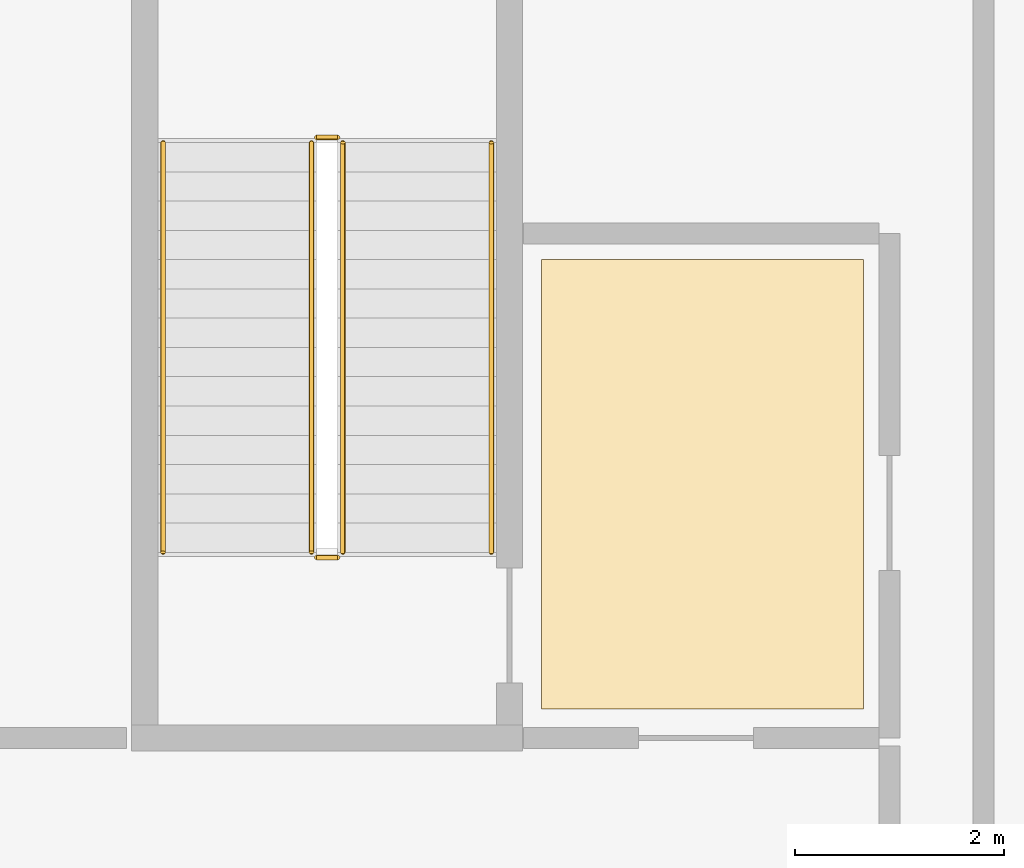
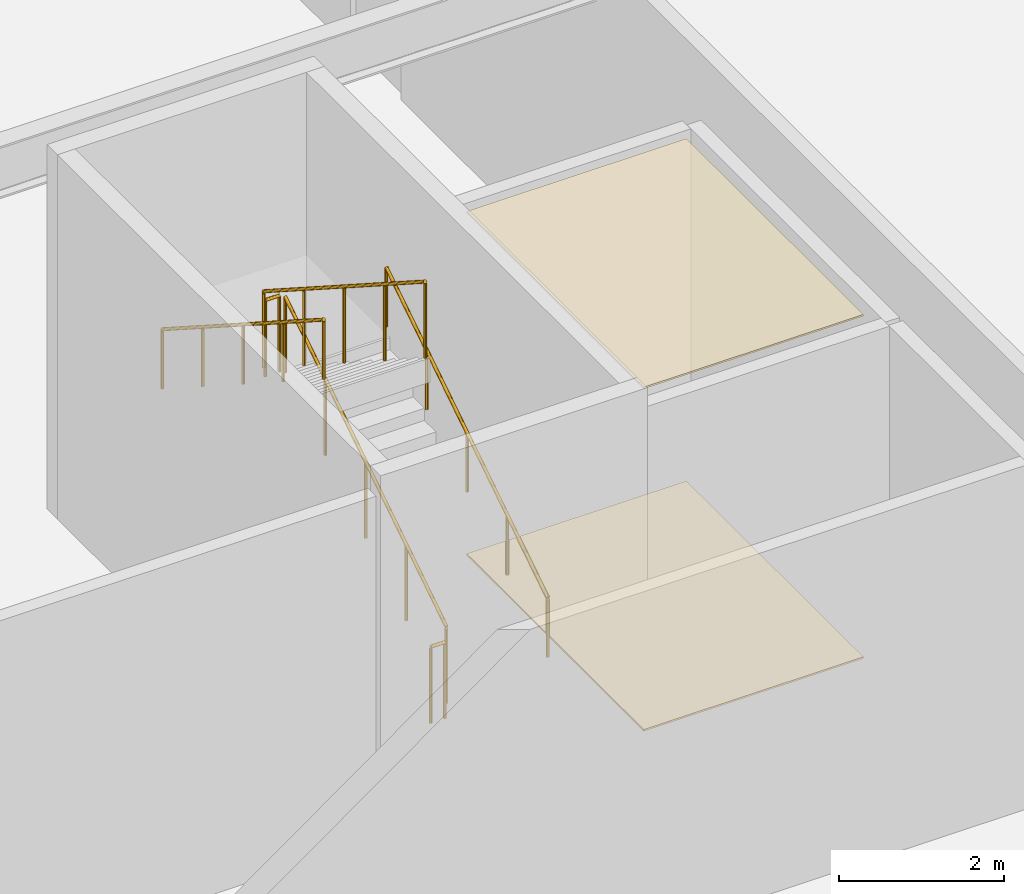
# One storey, part 33 of 46: 6 railings, 2 coverings.
"""IFC4 building model written with IfcOpenShell, lengths in metres."""

from ifc_helpers import new_model, si_unit, direction, frame, origin, origin_2d, place, context, subcontext, project, spatial, polyline, circle, outline, extrude, material, layer, layer_set, type_object, element, save


model = new_model("IFC4")

# Units and contexts
model_context = context("Model", 3, precision=1e-05, world=origin(), true_north=direction((0.0, 1.0)))
body_context = subcontext(model_context, "Body", "Model", "MODEL_VIEW")
ifc_project = project(units=[si_unit("LENGTHUNIT", "METRE"), si_unit("AREAUNIT", "SQUARE_METRE"), si_unit("VOLUMEUNIT", "CUBIC_METRE"), si_unit("PLANEANGLEUNIT", "RADIAN"), si_unit("MASSUNIT", "GRAM", prefix="KILO")], contexts=[model_context])

# Site, building, storey
site_placement = place(None, origin())
site = spatial("IfcSite", under=ifc_project, at=site_placement, CompositionType="ELEMENT")
building_placement = place(site_placement, origin())
building = spatial("IfcBuilding", under=site, at=building_placement, Name="Korimba Cascade Residences", CompositionType="ELEMENT")
storey_placement = place(building_placement, origin())
storey = spatial("IfcBuildingStorey", under=building, at=storey_placement, Name="L00", CompositionType="ELEMENT", Elevation=0.0)

# Coverings
ifc_material_1 = material(Name="Perforated Acoustic Gypsum Ceiling", Category="gypsum")
ifc_layer_1 = layer(ifc_material_1, 0.02490234375)
ifc_layer_set_1 = layer_set([ifc_layer_1], Name="Perforated Acoustic Gypsum Ceiling")
covering_type_1 = type_object("IfcCoveringType", Name="COV-CLG-AC", PredefinedType="CEILING", material=ifc_layer_set_1)
covering_1_placement = place(storey_placement, frame((0.0, 0.0, 5.074951171875)))
element("IfcCovering", 1, at=covering_1_placement, inside=storey, type_object=covering_type_1, Name="L00 Suspended Acoustic Ceiling L00-PL3", PredefinedType="CEILING", context=body_context, shape_type="SweptSolid", body=[
    extrude(outline(polyline([(61.669921875, -12.64990234375), (64.75, -12.64990234375), (64.75, -8.35009765625), (61.669921875, -8.35009765625), (61.669921875, -12.64990234375)])), origin(), (0.0, 0.0, 1.0), 0.025146484375),
])
ifc_material_2 = material(Name="Honed Travertine Stone Flooring", Category="masonry")
ifc_layer_2 = layer(ifc_material_2, 0.02490234375)
ifc_layer_set_2 = layer_set([ifc_layer_2], Name="Honed Travertine Stone Flooring")
covering_type_2 = type_object("IfcCoveringType", Name="COV-FLR-STN", PredefinedType="FLOORING", material=ifc_layer_set_2)
covering_2_placement = place(storey_placement, origin())
element("IfcCovering", 2, at=covering_2_placement, inside=storey, type_object=covering_type_2, Name="L00 Honed Travertine Stone Flooring L00-PL3", PredefinedType="FLOORING", context=body_context, shape_type="SweptSolid", body=[
    extrude(outline(polyline([(61.669921875, -12.64990234375), (64.75, -12.64990234375), (64.75, -8.35009765625), (61.669921875, -8.35009765625), (61.669921875, -12.64990234375)])), origin(), (0.0, 0.0, 1.0), 0.02490234375),
])

# Railings
ifc_material_3 = material(Name="Painted Steel Stairwell Guardrail", Category="steel")
railing_type_1 = type_object("IfcRailingType", Name="RLG-ST-GD1150", PredefinedType="GUARDRAIL", material=ifc_material_3)
railing_1_placement = place(storey_placement, frame((59.77001953125, -11.14990234375, 0.179931640625)))
element("IfcRailing", 3, at=railing_1_placement, inside=storey, type_object=railing_type_1, Name="L00 ST-P3 stair guard 1", PredefinedType="GUARDRAIL", context=body_context, shape_type="SweptSolid", body=[
    extrude(circle(Radius=0.02392578125, at=origin_2d()), frame((0.0, 0.0, 1.1259765625), z_axis=(0.0, 0.841171666519, 0.540768182723), x_axis=(-1.0, 0.0, 0.0)), (0.0, 0.0, 1.0), 4.66015625),
    extrude(circle(Radius=0.02099609375, at=origin_2d()), origin(), (0.0, 0.0, 1.0), 1.101806640625),
    extrude(circle(Radius=0.02099609375, at=origin_2d()), frame((0.0, 0.97998046875, 0.6298828125)), (0.0, 0.0, 1.0), 1.101806640625),
    extrude(circle(Radius=0.02099609375, at=origin_2d()), frame((0.0, 1.9599609375, 1.260009765625)), (0.0, 0.0, 1.0), 1.101806640625),
    extrude(circle(Radius=0.02099609375, at=origin_2d()), frame((0.0, 2.93994140625, 1.89013671875)), (0.0, 0.0, 1.0), 1.101806640625),
    extrude(circle(Radius=0.02099609375, at=origin_2d()), frame((0.0, 3.919921875, 2.52001953125)), (0.0, 0.0, 1.0), 1.101806640625),
])
railing_2_placement = place(storey_placement, frame((59.719970703125, -7.179931640625, 2.699951171875)))
element("IfcRailing", 4, at=railing_2_placement, inside=storey, type_object=railing_type_1, Name="L00 ST-P3 stair guard 2", PredefinedType="GUARDRAIL", context=body_context, shape_type="SweptSolid", body=[
    extrude(circle(Radius=0.02392578125, at=origin_2d()), frame((0.0, 0.0, 1.1259765625), z_axis=(-1.0, 0.0, 0.0), x_axis=(0.0, -1.0, 0.0)), (0.0, 0.0, 1.0), 0.199951171875),
    extrude(circle(Radius=0.02099609375, at=origin_2d()), origin(), (0.0, 0.0, 1.0), 1.101806640625),
    extrude(circle(Radius=0.02099609375, at=origin_2d()), frame((-0.199951171875, 0.0, 0.0)), (0.0, 0.0, 1.0), 1.101806640625),
])
railing_3_placement = place(storey_placement, frame((59.469970703125, -7.22998046875, 2.8798828125)))
element("IfcRailing", 5, at=railing_3_placement, inside=storey, type_object=railing_type_1, Name="L00 ST-P3 stair guard 3", PredefinedType="GUARDRAIL", context=body_context, shape_type="SweptSolid", body=[
    extrude(circle(Radius=0.02392578125, at=origin_2d()), frame((0.0, 0.0, 1.1259765625), z_axis=(0.0, -0.841171666519, 0.540768182723), x_axis=(1.0, 0.0, 0.0)), (0.0, 0.0, 1.0), 4.66015625),
    extrude(circle(Radius=0.02099609375, at=origin_2d()), origin(), (0.0, 0.0, 1.0), 1.101806640625),
    extrude(circle(Radius=0.02099609375, at=origin_2d()), frame((0.0, -0.97998046875, 0.6298828125)), (0.0, 0.0, 1.0), 1.101806640625),
    extrude(circle(Radius=0.02099609375, at=origin_2d()), frame((0.0, -1.9599609375, 1.260009765625)), (0.0, 0.0, 1.0), 1.101806640625),
    extrude(circle(Radius=0.02099609375, at=origin_2d()), frame((0.0, -2.93994140625, 1.89013671875)), (0.0, 0.0, 1.0), 1.101806640625),
    extrude(circle(Radius=0.02099609375, at=origin_2d()), frame((0.0, -3.919921875, 2.52001953125)), (0.0, 0.0, 1.0), 1.101806640625),
])
railing_4_placement = place(storey_placement, frame((59.719970703125, -11.199951171875, 0.0)))
element("IfcRailing", 6, at=railing_4_placement, inside=storey, type_object=railing_type_1, Name="L00 ST-P3 stair guard 4", PredefinedType="GUARDRAIL", context=body_context, shape_type="SweptSolid", body=[
    extrude(circle(Radius=0.02392578125, at=origin_2d()), frame((0.0, 0.0, 1.1259765625), z_axis=(-1.0, 0.0, 0.0), x_axis=(0.0, -1.0, 0.0)), (0.0, 0.0, 1.0), 0.199951171875),
    extrude(circle(Radius=0.02099609375, at=origin_2d()), origin(), (0.0, 0.0, 1.0), 1.101806640625),
    extrude(circle(Radius=0.02099609375, at=origin_2d()), frame((-0.199951171875, 0.0, 0.0)), (0.0, 0.0, 1.0), 1.101806640625),
])
ifc_material_4 = material(Name="Brushed Stainless Steel Handrail", Category="steel")
railing_type_2 = type_object("IfcRailingType", Name="RLG-ST-HR900", PredefinedType="HANDRAIL", material=ifc_material_4)
railing_5_placement = place(storey_placement, frame((61.18994140625, -11.14990234375, 0.36376953125)))
element("IfcRailing", 7, at=railing_5_placement, inside=storey, type_object=railing_type_2, Name="L00 ST-P3 stair handrail 1", PredefinedType="HANDRAIL", context=body_context, shape_type="SweptSolid", body=[
    extrude(circle(Radius=0.02392578125, at=origin_2d()), frame((0.0, 0.0, 0.8759765625), z_axis=(0.0, 0.841171666519, 0.540768182723), x_axis=(-1.0, 0.0, 0.0)), (0.0, 0.0, 1.0), 4.66015625),
    extrude(circle(Radius=0.02099609375, at=origin_2d()), origin(), (0.0, 0.0, 1.0), 0.851806640625),
    extrude(circle(Radius=0.02099609375, at=origin_2d()), frame((0.0, 0.97998046875, 0.6298828125)), (0.0, 0.0, 1.0), 0.851806640625),
    extrude(circle(Radius=0.02099609375, at=origin_2d()), frame((0.0, 1.9599609375, 1.260009765625)), (0.0, 0.0, 1.0), 0.851806640625),
    extrude(circle(Radius=0.02099609375, at=origin_2d()), frame((0.0, 2.93994140625, 1.89013671875)), (0.0, 0.0, 1.0), 0.851806640625),
    extrude(circle(Radius=0.02099609375, at=origin_2d()), frame((0.0, 3.919921875, 2.52001953125)), (0.0, 0.0, 1.0), 0.851806640625),
])
railing_6_placement = place(storey_placement, frame((58.050048828125, -7.22998046875, 3.063720703125)))
element("IfcRailing", 8, at=railing_6_placement, inside=storey, type_object=railing_type_2, Name="L00 ST-P3 stair handrail 2", PredefinedType="HANDRAIL", context=body_context, shape_type="SweptSolid", body=[
    extrude(circle(Radius=0.02392578125, at=origin_2d()), frame((0.0, 0.0, 0.8759765625), z_axis=(0.0, -0.841171666519, 0.540768182723), x_axis=(1.0, 0.0, 0.0)), (0.0, 0.0, 1.0), 4.66015625),
    extrude(circle(Radius=0.02099609375, at=origin_2d()), origin(), (0.0, 0.0, 1.0), 0.851806640625),
    extrude(circle(Radius=0.02099609375, at=origin_2d()), frame((0.0, -0.97998046875, 0.6298828125)), (0.0, 0.0, 1.0), 0.851806640625),
    extrude(circle(Radius=0.02099609375, at=origin_2d()), frame((0.0, -1.9599609375, 1.260009765625)), (0.0, 0.0, 1.0), 0.851806640625),
    extrude(circle(Radius=0.02099609375, at=origin_2d()), frame((0.0, -2.93994140625, 1.89013671875)), (0.0, 0.0, 1.0), 0.851806640625),
    extrude(circle(Radius=0.02099609375, at=origin_2d()), frame((0.0, -3.919921875, 2.52001953125)), (0.0, 0.0, 1.0), 0.851806640625),
])

save(model, "model.ifc")
